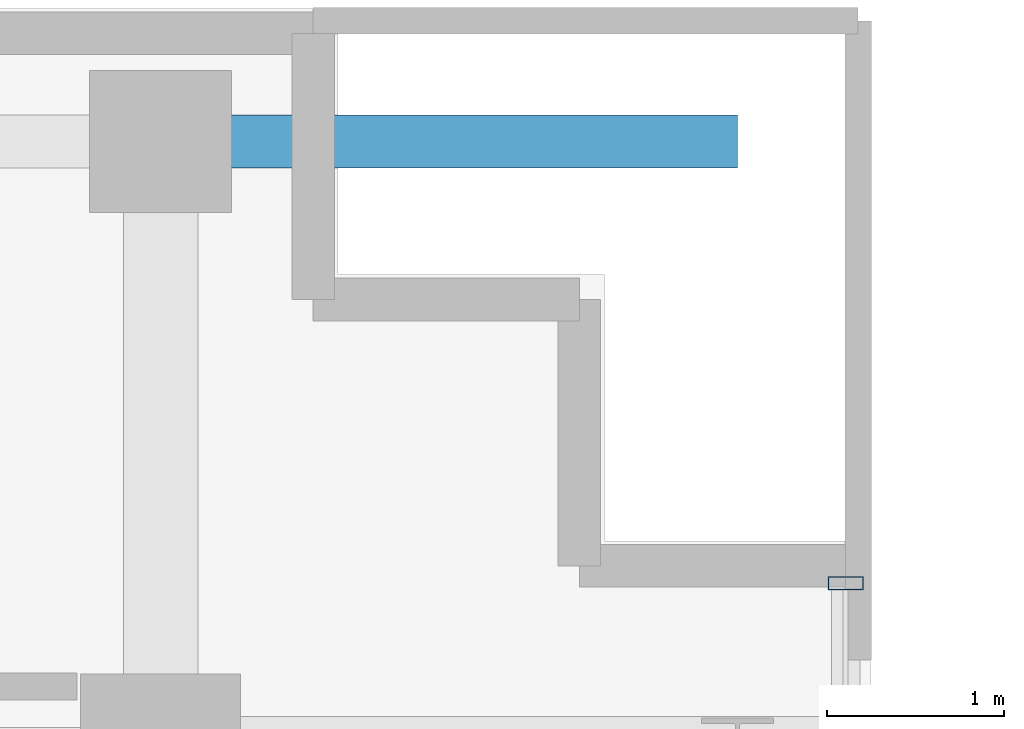
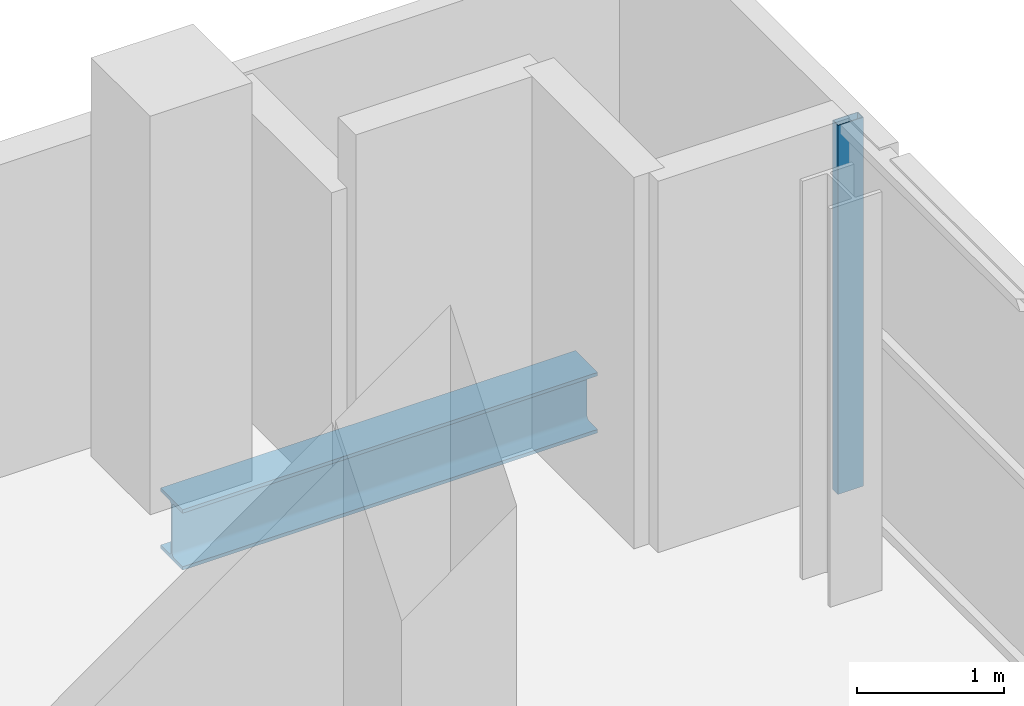
# One storey, part 17 of 27: 1 beam, 1 member, 1 element without a shape of its own.
"""IFC4 building model written with IfcOpenShell, lengths in metres."""

from ifc_helpers import new_model, si_unit, direction, frame, origin, origin_2d, place, context, subcontext, project, spatial, hollow_rectangle, i_section, extrude, source, transform, mapped, material, layer, layer_set, material_profile, profile_set, type_object, element, aggregate, save


model = new_model("IFC4")

# Units and contexts
model_context = context("Model", 3, precision=1e-05, world=origin(), true_north=direction((0.0, 1.0)))
body_context = subcontext(model_context, "Body", "Model", "MODEL_VIEW")
ifc_project = project(units=[si_unit("LENGTHUNIT", "METRE"), si_unit("AREAUNIT", "SQUARE_METRE"), si_unit("VOLUMEUNIT", "CUBIC_METRE"), si_unit("PLANEANGLEUNIT", "RADIAN"), si_unit("MASSUNIT", "GRAM", prefix="KILO")], contexts=[model_context])

# Site, building, storey
site_placement = place(None, origin())
site = spatial("IfcSite", under=ifc_project, at=site_placement, CompositionType="ELEMENT")
building_placement = place(site_placement, origin())
building = spatial("IfcBuilding", under=site, at=building_placement, Name="Zarnakvel Exchange Tower", CompositionType="ELEMENT")
storey_placement = place(building_placement, frame((0.0, 0.0, 86.800048828125)))
storey = spatial("IfcBuildingStorey", under=building, at=storey_placement, Name="L23", CompositionType="ELEMENT", Elevation=86.800048828125)

# Beam
ifc_material_1 = material(Name="Steel S355", Category="steel")
ifc_material_profile_1 = material_profile(ifc_material_1, i_section(OverallWidth=0.300048828125, OverallDepth=0.5, WebThickness=0.014404296875, FlangeThickness=0.028076171875, FilletRadius=0.027099609375, at=origin_2d()))
ifc_profile_set_1 = profile_set([ifc_material_profile_1], Name="Steel S355")
beam_type = type_object("IfcBeamType", Name="SP-02", PredefinedType="SPANDREL", material=ifc_profile_set_1)
beam_placement = place(storey_placement, frame((21.60009765625, 16.949951171875, -0.5), z_axis=(1.0, 0.0, 0.0), x_axis=(0.0, 1.0, 0.0)))
element("IfcBeam", 1, at=beam_placement, inside=storey, type_object=beam_type, Name="L23 North-East Corner Spandrel", PredefinedType="SPANDREL", context=body_context, shape_type="SweptSolid", body=[
    extrude(i_section(OverallWidth=0.300048828125, OverallDepth=0.5, WebThickness=0.014404296875, FlangeThickness=0.028076171875, FilletRadius=0.027099609375, at=origin_2d()), origin(), (0.0, 0.0, 1.0), 3.25),
])

# Curtain wall, member
ifc_material_2 = material(Name="Architectural Bronze Anodised Aluminium", Category="aluminium")
ifc_layer = layer(ifc_material_2, 0.199951171875)
ifc_layer_set = layer_set([ifc_layer], Name="Architectural Bronze Anodised Aluminium")
curtain_wall_type = type_object("IfcCurtainWallType", Name="CW-04", PredefinedType="NOTDEFINED", material=ifc_layer_set)
curtain_wall_placement = place(storey_placement, origin())
curtain_wall = element("IfcCurtainWall", 2, at=curtain_wall_placement, inside=storey, type_object=curtain_wall_type, Name="L23 Curtain Wall CW-L23-EN (CW-04)", PredefinedType="NOTDEFINED")
ifc_material_profile_2 = material_profile(ifc_material_2, hollow_rectangle(XDim=0.199951171875, YDim=0.074951171875, WallThickness=0.0048828125, at=origin_2d()))
ifc_profile_set_2 = profile_set([ifc_material_profile_2], Name="Architectural Bronze Anodised Aluminium")
member_type = type_object("IfcMemberType", Name="CWM-04", PredefinedType="MULLION", material=ifc_profile_set_2)
shared_shape = source(origin(), body_context, "Body", "SweptSolid", [
    extrude(hollow_rectangle(XDim=0.199951171875, YDim=0.074951171875, WallThickness=0.0048828125, at=origin_2d()), origin(), (0.0, 0.0, 1.0), 3.054931640625),
])
member_placement = place(storey_placement, frame((25.4599609375, 14.46240234375, 0.0), z_axis=(0.0, 0.0, 1.0), x_axis=(-1.0, 0.0, 0.0)))
member = element("IfcMember", 3, at=member_placement, type_object=member_type, Name="CW-04 mullion 3", PredefinedType="MULLION", context=body_context, shape_type="MappedRepresentation", body=[
    mapped(shared_shape, transform((0.0, 0.0, 0.0), x_axis=(1.0, 0.0, 0.0), y_axis=(0.0, 1.0, 0.0), z_axis=(0.0, 0.0, 1.0), scale=1.0)),
])
aggregate(curtain_wall, [member])

save(model, "model.ifc")
